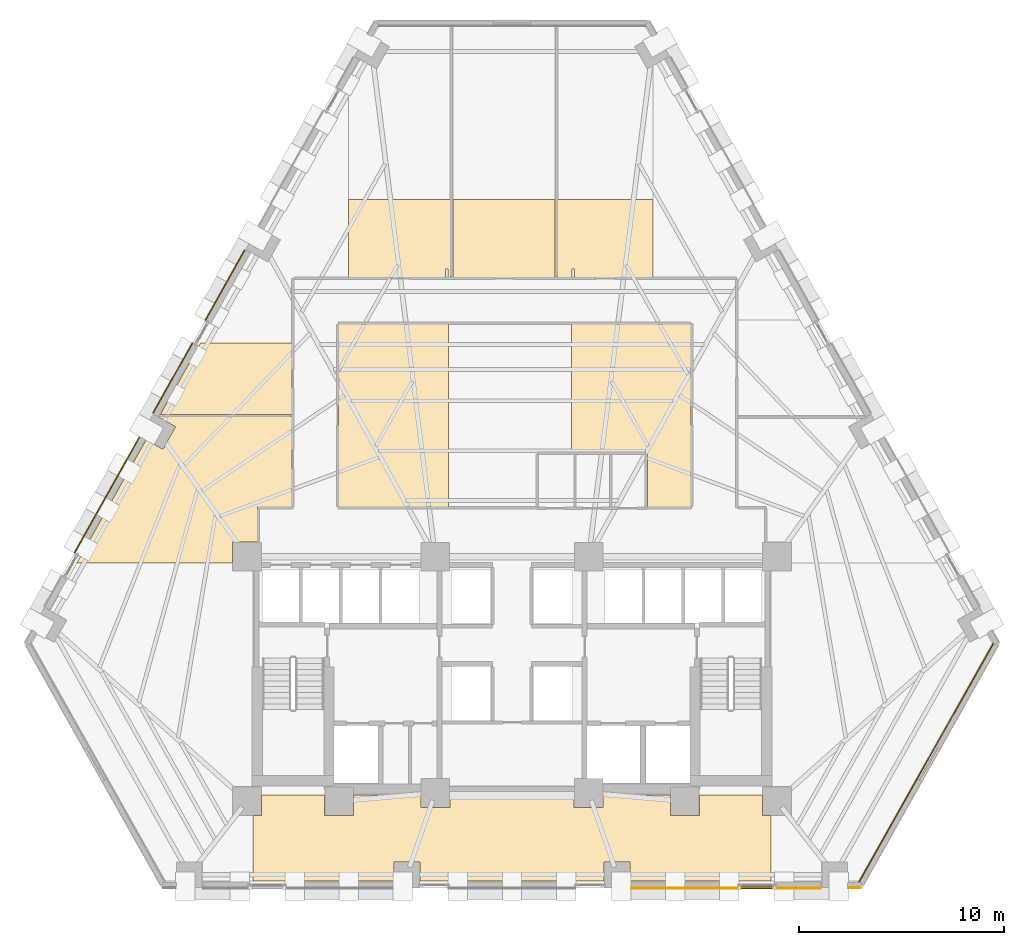
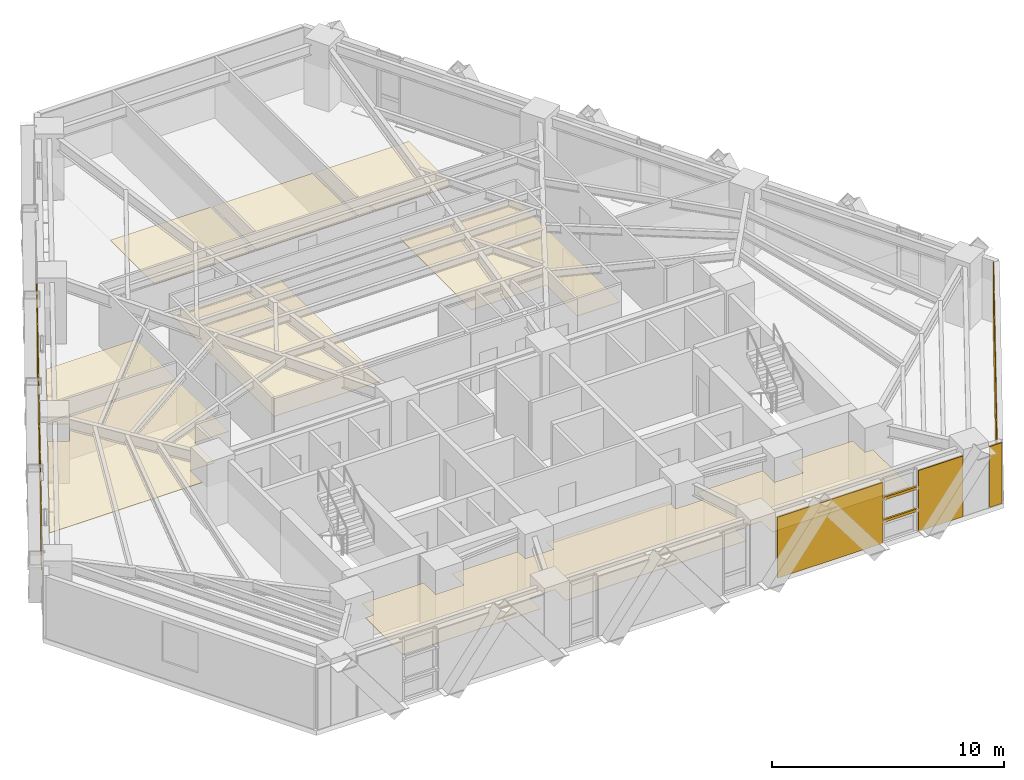
# One storey, part 11 of 13: 15 coverings, 2 shading devices.
"""IFC4 building model written with IfcOpenShell, lengths in metres."""

from ifc_helpers import new_model, si_unit, direction, frame, origin, origin_2d, place, context, subcontext, project, spatial, polyline, rectangle, outline, extrude, material, layer, layer_set, material_profile, profile_set, type_object, element, save


model = new_model("IFC4")

# Units and contexts
model_context = context("Model", 3, precision=1e-05, world=origin(), true_north=direction((0.0, 1.0)))
body_context = subcontext(model_context, "Body", "Model", "MODEL_VIEW")
ifc_project = project(units=[si_unit("LENGTHUNIT", "METRE"), si_unit("AREAUNIT", "SQUARE_METRE"), si_unit("VOLUMEUNIT", "CUBIC_METRE"), si_unit("PLANEANGLEUNIT", "RADIAN"), si_unit("MASSUNIT", "GRAM", prefix="KILO")], contexts=[model_context])

# Site, building, storey
site_placement = place(None, origin())
site = spatial("IfcSite", under=ifc_project, at=site_placement, CompositionType="ELEMENT")
building_placement = place(site_placement, origin())
building = spatial("IfcBuilding", under=site, at=building_placement, Name="Quenlor Broadcast Tower", CompositionType="ELEMENT")
storey_placement = place(building_placement, frame((0.0, 0.0, 55.60009765625)))
storey = spatial("IfcBuildingStorey", under=building, at=storey_placement, Name="L14", CompositionType="ELEMENT", Elevation=55.60009765625)

# Coverings
ifc_material_1 = material(Name="Acoustic Mineral Fibre Board", Category="other")
ifc_layer_1 = layer(ifc_material_1, 0.02490234375)
ifc_layer_set_1 = layer_set([ifc_layer_1], Name="Acoustic Perforated Mineral Tile Ceiling 25")
covering_type_1 = type_object("IfcCoveringType", Name="Acoustic Perforated Mineral Tile Ceiling 25", PredefinedType="CEILING", material=ifc_layer_set_1)
covering_1_placement = place(storey_placement, frame((0.0, 0.0, 2.224853515625)))
element("IfcCovering", 1, at=covering_1_placement, inside=storey, type_object=covering_type_1, Name="L14 Acoustic Ceiling L14-30", PredefinedType="CEILING", context=body_context, shape_type="SweptSolid", body=[
    extrude(outline(polyline([(2.10009765625, 8.830078125), (-2.8798828125, 8.830078125), (-2.8798828125, 12.64990234375), (2.10009765625, 12.64990234375), (2.10009765625, 8.830078125)])), origin(), (0.0, 0.0, 1.0), 0.025146484375),
])
covering_2_placement = place(storey_placement, frame((0.0, 0.0, 2.224853515625)))
element("IfcCovering", 2, at=covering_2_placement, inside=storey, type_object=covering_type_1, Name="L14 Acoustic Ceiling L14-31", PredefinedType="CEILING", context=body_context, shape_type="SweptSolid", body=[
    extrude(outline(polyline([(6.89990234375, 8.830078125), (3.06005859375, 8.830078125), (3.06005859375, 9.25), (2.93994140625, 9.25), (2.93994140625, 8.830078125), (2.219970703125, 8.830078125), (2.219970703125, 12.64990234375), (6.89990234375, 12.64990234375), (6.89990234375, 8.830078125)])), origin(), (0.0, 0.0, 1.0), 0.025146484375),
])
covering_3_placement = place(storey_placement, frame((0.0, 0.0, 2.224853515625)))
element("IfcCovering", 3, at=covering_3_placement, inside=storey, type_object=covering_type_1, Name="L14 Acoustic Ceiling L14-32", PredefinedType="CEILING", context=body_context, shape_type="SweptSolid", body=[
    extrude(outline(polyline([(-3.260009765625, 8.830078125), (-7.97998046875, 8.830078125), (-7.97998046875, 12.64990234375), (-3.0, 12.64990234375), (-3.0, 8.830078125), (-3.139892578125, 8.830078125), (-3.139892578125, 9.25), (-3.260009765625, 9.25), (-3.260009765625, 8.830078125)])), origin(), (0.0, 0.0, 1.0), 0.025146484375),
])
covering_4_placement = place(storey_placement, frame((0.0, 0.0, 2.224853515625)))
element("IfcCovering", 4, at=covering_4_placement, inside=storey, type_object=covering_type_1, Name="L14 Acoustic Ceiling L14-34", PredefinedType="CEILING", context=body_context, shape_type="SweptSolid", body=[
    extrude(outline(polyline([(-17.182373046875, 2.159912109375), (-15.224853515625, 5.639892578125), (-10.7451171875, 5.639892578125), (-10.7451171875, 2.159912109375), (-17.182373046875, 2.159912109375)])), origin(), (0.0, 0.0, 1.0), 0.025146484375),
])
covering_5_placement = place(storey_placement, frame((0.0, 0.0, 2.224853515625)))
element("IfcCovering", 5, at=covering_5_placement, inside=storey, type_object=covering_type_1, Name="L14 Acoustic Ceiling L14-35", PredefinedType="CEILING", context=body_context, shape_type="SweptSolid", body=[
    extrude(outline(polyline([(6.6201171875, -2.3701171875), (6.6201171875, 0.320068359375), (2.909912109375, 0.320068359375), (2.909912109375, 6.570068359375), (8.7548828125, 6.570068359375), (8.7548828125, -2.3701171875), (6.6201171875, -2.3701171875)])), origin(), (0.0, 0.0, 1.0), 0.025146484375),
])
covering_6_placement = place(storey_placement, frame((0.0, 0.0, 2.224853515625)))
element("IfcCovering", 6, at=covering_6_placement, inside=storey, type_object=covering_type_1, Name="L14 Acoustic Ceiling L14-36", PredefinedType="CEILING", context=body_context, shape_type="SweptSolid", body=[
    extrude(outline(polyline([(-3.110107421875, 6.570068359375), (-3.110107421875, -2.3701171875), (-8.485107421875, -2.3701171875), (-8.485107421875, 6.570068359375), (-3.110107421875, 6.570068359375)])), origin(), (0.0, 0.0, 1.0), 0.025146484375),
])
covering_7_placement = place(storey_placement, frame((0.0, 0.0, 2.224853515625)))
element("IfcCovering", 7, at=covering_7_placement, inside=storey, type_object=covering_type_1, Name="L14 Acoustic Ceiling L14-37", PredefinedType="CEILING", context=body_context, shape_type="SweptSolid", body=[
    extrude(outline(polyline([(-17.884521484375, 0.912109375), (-17.0625, 0.44970703125), (-16.44189453125, 1.552978515625), (-17.263671875, 2.015380859375), (-17.25, 2.0400390625), (-10.7451171875, 2.0400390625), (-10.7451171875, -2.3701171875), (-12.43994140625, -2.3701171875), (-12.43994140625, -4.092041015625), (-13.657958984375, -4.092041015625), (-13.657958984375, -5.1201171875), (-21.27734375, -5.1201171875), (-17.884521484375, 0.912109375)])), origin(), (0.0, 0.0, 1.0), 0.025146484375),
])
covering_8_placement = place(storey_placement, frame((0.0, 0.0, 2.224853515625)))
element("IfcCovering", 8, at=covering_8_placement, inside=storey, type_object=covering_type_1, Name="L14 Acoustic Ceiling L14-37-5", PredefinedType="CEILING", context=body_context, shape_type="SweptSolid", body=[
    extrude(outline(polyline([(-12.241943359375, -17.4580078125), (-12.241943359375, -16.449951171875), (-9.157958984375, -16.449951171875), (-9.157958984375, -17.4580078125), (-7.741943359375, -17.4580078125), (-7.741943359375, -16.449951171875), (-4.4580078125, -16.449951171875), (-4.4580078125, -17.05810546875), (-3.0419921875, -17.05810546875), (-3.0419921875, -16.449951171875), (3.0419921875, -16.449951171875), (3.0419921875, -17.05810546875), (4.4580078125, -17.05810546875), (4.4580078125, -16.449951171875), (7.741943359375, -16.449951171875), (7.741943359375, -17.4580078125), (9.157958984375, -17.4580078125), (9.157958984375, -16.449951171875), (12.241943359375, -16.449951171875), (12.241943359375, -17.4580078125), (12.64990234375, -17.4580078125), (12.64990234375, -20.659912109375), (5.773681640625, -20.659912109375), (5.773681640625, -19.717041015625), (4.5078125, -19.717041015625), (4.5078125, -20.659912109375), (-4.5078125, -20.659912109375), (-4.5078125, -19.717041015625), (-5.773681640625, -19.717041015625), (-5.773681640625, -20.659912109375), (-12.64990234375, -20.659912109375), (-12.64990234375, -17.4580078125), (-12.241943359375, -17.4580078125)])), origin(), (0.0, 0.0, 1.0), 0.025146484375),
])

# Shading devices
ifc_material_2 = material(Name="Architectural Terracotta Ceramic", Category="masonry")
ifc_material_profile = material_profile(ifc_material_2, rectangle(XDim=0.090087890625, YDim=0.139892578125, at=origin_2d()))
ifc_profile_set = profile_set([ifc_material_profile], Name="Architectural Terracotta Ceramic BAG90x140")
shading_device_type = type_object("IfcShadingDeviceType", Name="Copper Terracotta Baguette Solar Screen 140", PredefinedType="USERDEFINED", material=ifc_profile_set)
for number, where, z_axis, x_axis, name in (
    (9, (12.794921875, -20.98291015625, 1.169921875), (-1.0, 0.0, 0.0), (0.0, -1.0, 0.0), "L14 Terracotta Baguette Screen 1"),
    (10, (12.794921875, -20.98291015625, 2.33984375), (-1.0, 0.0, 0.0), (0.0, -1.0, 0.0), "L14 Terracotta Baguette Screen 2"),
):
    element("IfcShadingDevice", number, at=place(storey_placement, frame(where, z_axis=z_axis, x_axis=x_axis)), inside=storey, type_object=shading_device_type, Name=name, ObjectType="BAGUETTE", PredefinedType="USERDEFINED", context=body_context, shape_type="SweptSolid", body=[
        extrude(rectangle(XDim=0.090087890625, YDim=0.139892578125, at=origin_2d()), origin(), (0.0, 0.0, 1.0), 1.6484375),
    ])

# Coverings
ifc_material_3 = material(Name="Architectural Terracotta Ceramic", Category="masonry")
ifc_layer_2 = layer(ifc_material_3, 0.044921875)
ifc_layer_set_2 = layer_set([ifc_layer_2], Name="Fluted Terracotta Rainscreen Cladding Panel")
covering_type_2 = type_object("IfcCoveringType", Name="Fluted Terracotta Rainscreen Cladding Panel", PredefinedType="CLADDING", material=ifc_layer_set_2)
covering_9_placement = place(storey_placement, frame((0.0, 0.0, 0.02001953125)))
element("IfcCovering", 11, at=covering_9_placement, inside=storey, type_object=covering_type_2, Name="L14 Terracotta Rainscreen Cladding L14-SHD-SS0", PredefinedType="CLADDING", context=body_context, shape_type="SweptSolid", body=[
    extrude(outline(polyline([(17.0458984375, -20.951904296875), (16.425048828125, -20.951904296875), (16.425048828125, -20.9970703125), (17.0458984375, -20.9970703125), (17.0458984375, -20.951904296875)])), origin(), (0.0, 0.0, 1.0), 3.2099609375),
])
covering_10_placement = place(storey_placement, frame((0.0, 0.0, 0.02001953125)))
element("IfcCovering", 12, at=covering_10_placement, inside=storey, type_object=covering_type_2, Name="L14 Terracotta Rainscreen Cladding L14-SA-SP1", PredefinedType="CLADDING", context=body_context, shape_type="SweptSolid", body=[
    extrude(outline(polyline([(15.085205078125, -20.98193359375), (12.864990234375, -20.98193359375), (12.864990234375, -21.027099609375), (15.085205078125, -21.027099609375), (15.085205078125, -20.98193359375)])), origin(), (0.0, 0.0, 1.0), 3.2099609375),
])
covering_11_placement = place(storey_placement, frame((0.0, 0.0, 0.02001953125)))
element("IfcCovering", 13, at=covering_11_placement, inside=storey, type_object=covering_type_2, Name="L14 Terracotta Rainscreen Cladding L14-SA-SP2", PredefinedType="CLADDING", context=body_context, shape_type="SweptSolid", body=[
    extrude(outline(polyline([(11.07666015625, -20.98193359375), (5.82080078125, -20.98193359375), (5.82080078125, -21.027099609375), (11.07666015625, -21.027099609375), (11.07666015625, -20.98193359375)])), origin(), (0.0, 0.0, 1.0), 3.2099609375),
])
covering_12_placement = place(storey_placement, frame((0.0, 0.0, 0.02001953125)))
element("IfcCovering", 14, at=covering_12_placement, inside=storey, type_object=covering_type_2, Name="L14 Terracotta Rainscreen Cladding L14-NWA-SP2", PredefinedType="CLADDING", context=body_context, shape_type="SweptSolid", body=[
    extrude(outline(polyline([(-21.3671875, -4.622802734375), (-18.18798828125, 1.029052734375), (-18.227294921875, 1.051025390625), (-21.406494140625, -4.6005859375), (-21.3671875, -4.622802734375)])), origin(), (0.0, 0.0, 1.0), 3.2099609375),
])
covering_13_placement = place(storey_placement, frame((0.0, 0.0, 0.02001953125)))
element("IfcCovering", 15, at=covering_13_placement, inside=storey, type_object=covering_type_2, Name="L14 Terracotta Rainscreen Cladding L14-NW-SP1", PredefinedType="CLADDING", context=body_context, shape_type="SweptSolid", body=[
    extrude(outline(polyline([(-17.523681640625, 2.2099609375), (-15.594970703125, 5.638916015625), (-15.63427734375, 5.660888671875), (-17.56298828125, 2.23193359375), (-17.523681640625, 2.2099609375)])), origin(), (0.0, 0.0, 1.0), 3.2099609375),
])
covering_14_placement = place(storey_placement, frame((0.0, 0.0, 0.02001953125)))
element("IfcCovering", 16, at=covering_14_placement, inside=storey, type_object=covering_type_2, Name="L14 Terracotta Rainscreen Cladding L14-NW-SP2", PredefinedType="CLADDING", context=body_context, shape_type="SweptSolid", body=[
    extrude(outline(polyline([(-14.9736328125, 6.74365234375), (-13.044921875, 10.172607421875), (-13.083984375, 10.194580078125), (-15.0126953125, 6.765625), (-14.9736328125, 6.74365234375)])), origin(), (0.0, 0.0, 1.0), 3.2099609375),
])
covering_15_placement = place(storey_placement, frame((0.0, 0.0, 0.02001953125)))
element("IfcCovering", 17, at=covering_15_placement, inside=storey, type_object=covering_type_2, Name="L14 Terracotta Rainscreen Cladding L14-CNR-06", PredefinedType="CLADDING", context=body_context, shape_type="SweptSolid", body=[
    extrude(outline(polyline([(16.98388671875, -20.71533203125), (23.547607421875, -9.046875), (23.50830078125, -9.02490234375), (16.94482421875, -20.693359375), (16.98388671875, -20.71533203125)])), origin(), (0.0, 0.0, 1.0), 3.2099609375),
])

save(model, "model.ifc")
